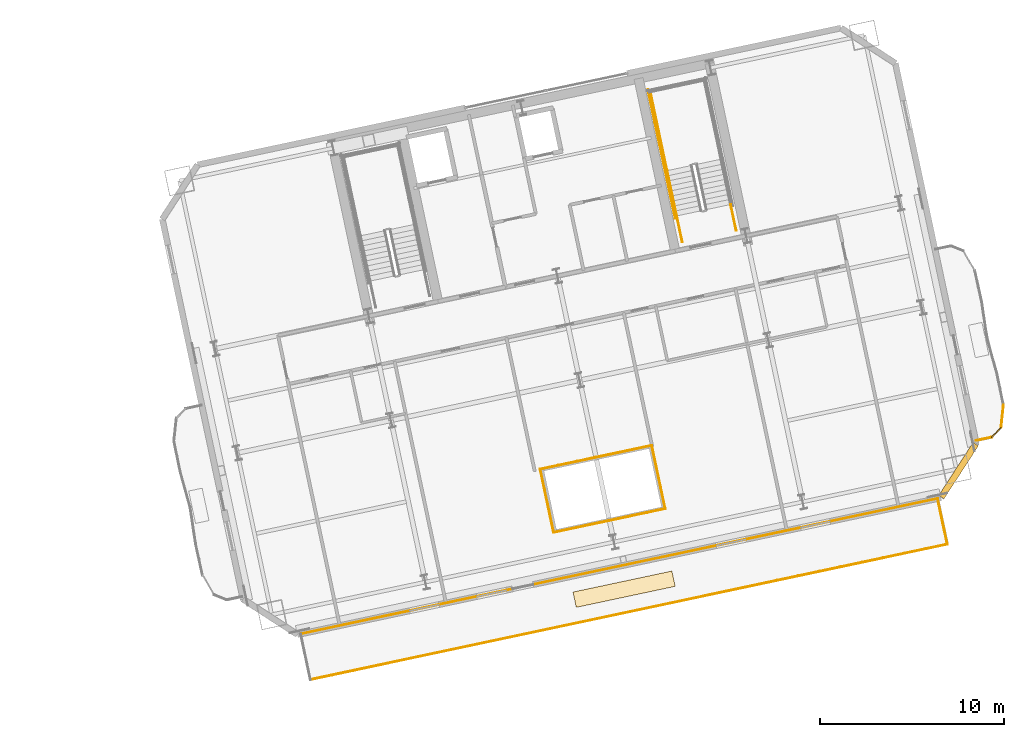
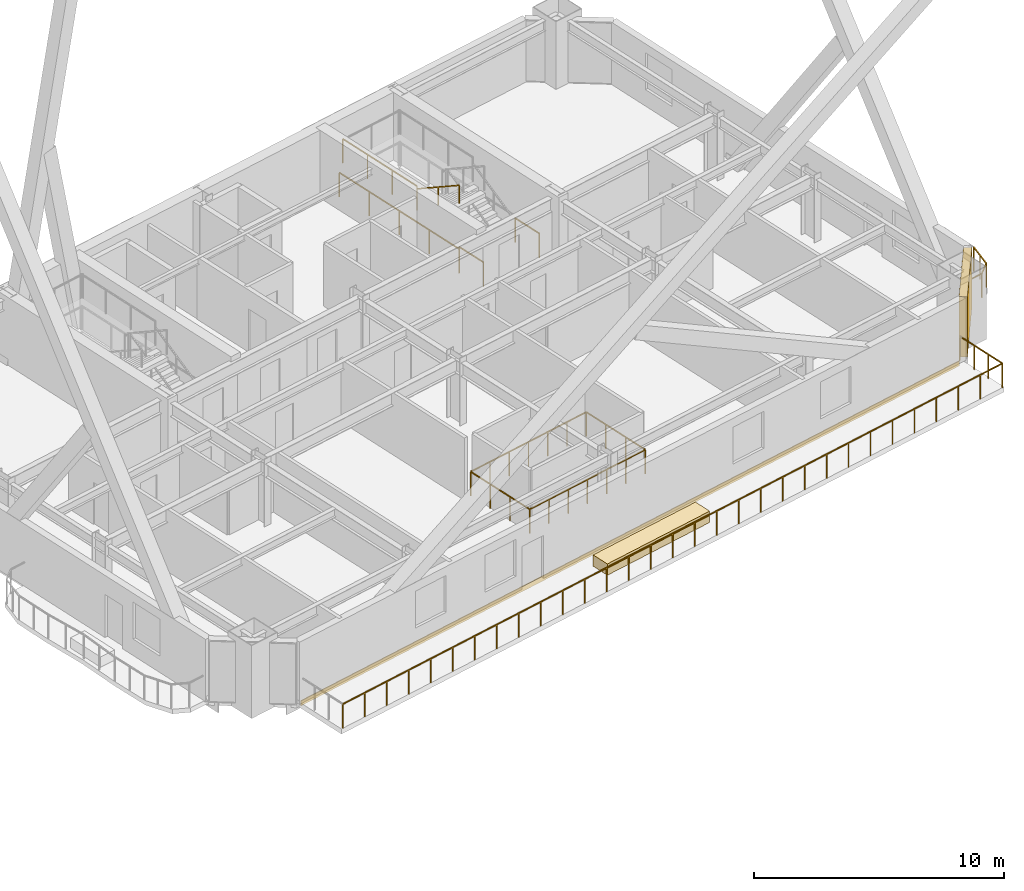
# One storey, part 21 of 22: 14 railings, 2 coverings, 1 shading device.
"""IFC4 building model written with IfcOpenShell, lengths in metres."""

from ifc_helpers import new_model, si_unit, direction, frame, origin, origin_2d, place, context, subcontext, project, spatial, rectangle, extrude, material, layer, layer_set, type_object, element, save


model = new_model("IFC4")

# Units and contexts
model_context = context("Model", 3, precision=1e-05, world=origin(), true_north=direction((0.0, 1.0)))
body_context = subcontext(model_context, "Body", "Model", "MODEL_VIEW")
ifc_project = project(units=[si_unit("LENGTHUNIT", "METRE"), si_unit("AREAUNIT", "SQUARE_METRE"), si_unit("VOLUMEUNIT", "CUBIC_METRE"), si_unit("PLANEANGLEUNIT", "RADIAN"), si_unit("MASSUNIT", "GRAM", prefix="KILO")], contexts=[model_context])

# Site, building, storey
site_placement = place(None, origin())
site = spatial("IfcSite", under=ifc_project, at=site_placement, CompositionType="ELEMENT")
building_placement = place(site_placement, origin())
building = spatial("IfcBuilding", under=site, at=building_placement, Name="Haevon Station Towers", CompositionType="ELEMENT")
storey_placement = place(building_placement, frame((0.0, 0.0, 93.300048828125)))
storey = spatial("IfcBuildingStorey", under=building, at=storey_placement, Name="L24", CompositionType="ELEMENT", Elevation=93.300048828125)

# Railings
ifc_material_1 = material(Name="Steel S355", Category="steel")
railing_type_1 = type_object("IfcRailingType", Name="BAL-ATR1200", PredefinedType="BALUSTRADE", material=ifc_material_1)
railing_1_placement = place(storey_placement, frame((108.81591796875, 25.668212890625, 0.0)))
element("IfcRailing", 1, at=railing_1_placement, inside=storey, type_object=railing_type_1, Name="L24 Atrium Void Balustrade 1", PredefinedType="BALUSTRADE", context=body_context, shape_type="SweptSolid", body=[
    extrude(rectangle(XDim=0.048095703125, YDim=0.048095703125, at=origin_2d()), frame((0.0, 0.0, 1.17578125), z_axis=(0.97814235822, 0.207936353378, 0.0), x_axis=(-0.207936353378, 0.97814235822, 0.0)), (0.0, 0.0, 1.0), 6.208740234375),
    extrude(rectangle(XDim=0.0419921875, YDim=0.0419921875, at=origin_2d()), origin(), (0.0, 0.0, 1.0), 1.15185546875),
    extrude(rectangle(XDim=0.0419921875, YDim=0.0419921875, at=origin_2d()), frame((1.01220703125, 0.215087890625, 0.0)), (0.0, 0.0, 1.0), 1.15185546875),
    extrude(rectangle(XDim=0.0419921875, YDim=0.0419921875, at=origin_2d()), frame((2.0244140625, 0.430419921875, 0.0)), (0.0, 0.0, 1.0), 1.15185546875),
    extrude(rectangle(XDim=0.0419921875, YDim=0.0419921875, at=origin_2d()), frame((3.03662109375, 0.6455078125, 0.0)), (0.0, 0.0, 1.0), 1.15185546875),
    extrude(rectangle(XDim=0.0419921875, YDim=0.0419921875, at=origin_2d()), frame((4.048583984375, 0.860595703125, 0.0)), (0.0, 0.0, 1.0), 1.15185546875),
    extrude(rectangle(XDim=0.0419921875, YDim=0.0419921875, at=origin_2d()), frame((5.060791015625, 1.075927734375, 0.0)), (0.0, 0.0, 1.0), 1.15185546875),
    extrude(rectangle(XDim=0.0419921875, YDim=0.0419921875, at=origin_2d()), frame((6.072998046875, 1.291015625, 0.0)), (0.0, 0.0, 1.0), 1.15185546875),
])
railing_2_placement = place(storey_placement, frame((114.888916015625, 26.959228515625, 0.0)))
element("IfcRailing", 2, at=railing_2_placement, inside=storey, type_object=railing_type_1, Name="L24 Atrium Void Balustrade 2", PredefinedType="BALUSTRADE", context=body_context, shape_type="SweptSolid", body=[
    extrude(rectangle(XDim=0.048095703125, YDim=0.048095703125, at=origin_2d()), frame((0.0, 0.0, 1.17578125), z_axis=(-0.207898592019, 0.978150384878, 0.0), x_axis=(-0.978150384878, -0.207898592019, 0.0)), (0.0, 0.0, 1.0), 3.518310546875),
    extrude(rectangle(XDim=0.0419921875, YDim=0.0419921875, at=origin_2d()), origin(), (0.0, 0.0, 1.0), 1.15185546875),
    extrude(rectangle(XDim=0.0419921875, YDim=0.0419921875, at=origin_2d()), frame((-0.243896484375, 1.147216796875, 0.0)), (0.0, 0.0, 1.0), 1.15185546875),
    extrude(rectangle(XDim=0.0419921875, YDim=0.0419921875, at=origin_2d()), frame((-0.487548828125, 2.294189453125, 0.0)), (0.0, 0.0, 1.0), 1.15185546875),
    extrude(rectangle(XDim=0.0419921875, YDim=0.0419921875, at=origin_2d()), frame((-0.7314453125, 3.44140625, 0.0)), (0.0, 0.0, 1.0), 1.15185546875),
])
railing_3_placement = place(storey_placement, frame((114.157470703125, 30.400634765625, 0.0)))
element("IfcRailing", 3, at=railing_3_placement, inside=storey, type_object=railing_type_1, Name="L24 Atrium Void Balustrade 3", PredefinedType="BALUSTRADE", context=body_context, shape_type="SweptSolid", body=[
    extrude(rectangle(XDim=0.048095703125, YDim=0.048095703125, at=origin_2d()), frame((0.0, 0.0, 1.17578125), z_axis=(-0.978144058321, -0.207928355861, 0.0), x_axis=(0.207928355861, -0.978144058321, 0.0)), (0.0, 0.0, 1.0), 6.208984375),
    extrude(rectangle(XDim=0.0419921875, YDim=0.0419921875, at=origin_2d()), origin(), (0.0, 0.0, 1.0), 1.15185546875),
    extrude(rectangle(XDim=0.0419921875, YDim=0.0419921875, at=origin_2d()), frame((-1.01220703125, -0.215087890625, 0.0)), (0.0, 0.0, 1.0), 1.15185546875),
    extrude(rectangle(XDim=0.0419921875, YDim=0.0419921875, at=origin_2d()), frame((-2.0244140625, -0.430419921875, 0.0)), (0.0, 0.0, 1.0), 1.15185546875),
    extrude(rectangle(XDim=0.0419921875, YDim=0.0419921875, at=origin_2d()), frame((-3.03662109375, -0.6455078125, 0.0)), (0.0, 0.0, 1.0), 1.15185546875),
    extrude(rectangle(XDim=0.0419921875, YDim=0.0419921875, at=origin_2d()), frame((-4.048828125, -0.860595703125, 0.0)), (0.0, 0.0, 1.0), 1.15185546875),
    extrude(rectangle(XDim=0.0419921875, YDim=0.0419921875, at=origin_2d()), frame((-5.06103515625, -1.075927734375, 0.0)), (0.0, 0.0, 1.0), 1.15185546875),
    extrude(rectangle(XDim=0.0419921875, YDim=0.0419921875, at=origin_2d()), frame((-6.0732421875, -1.291015625, 0.0)), (0.0, 0.0, 1.0), 1.15185546875),
])
railing_4_placement = place(storey_placement, frame((108.084228515625, 29.109619140625, 0.0)))
element("IfcRailing", 4, at=railing_4_placement, inside=storey, type_object=railing_type_1, Name="L24 Atrium Void Balustrade 4", PredefinedType="BALUSTRADE", context=body_context, shape_type="SweptSolid", body=[
    extrude(rectangle(XDim=0.048095703125, YDim=0.048095703125, at=origin_2d()), frame((0.0, 0.0, 1.17578125), z_axis=(0.207964983384, -0.978136271532, 0.0), x_axis=(0.978136271532, 0.207964983384, 0.0)), (0.0, 0.0, 1.0), 3.518310546875),
    extrude(rectangle(XDim=0.0419921875, YDim=0.0419921875, at=origin_2d()), origin(), (0.0, 0.0, 1.0), 1.15185546875),
    extrude(rectangle(XDim=0.0419921875, YDim=0.0419921875, at=origin_2d()), frame((0.243896484375, -1.147216796875, 0.0)), (0.0, 0.0, 1.0), 1.15185546875),
    extrude(rectangle(XDim=0.0419921875, YDim=0.0419921875, at=origin_2d()), frame((0.48779296875, -2.294189453125, 0.0)), (0.0, 0.0, 1.0), 1.15185546875),
    extrude(rectangle(XDim=0.0419921875, YDim=0.0419921875, at=origin_2d()), frame((0.731689453125, -3.44140625, 0.0)), (0.0, 0.0, 1.0), 1.15185546875),
])

# Covering
ifc_material_2 = material(Name="Anodised aluminium 6063-T6", Category="aluminium")
ifc_layer_1 = layer(ifc_material_2, 0.0400390625)
ifc_layer_set_1 = layer_set([ifc_layer_1], Name="Anodised aluminium 6063-T6")
covering_type_1 = type_object("IfcCoveringType", Name="COV-CLAD40", PredefinedType="CLADDING", material=ifc_layer_set_1)
covering_1_placement = place(storey_placement, frame((112.380615234375, 23.828369140625, -0.240234375), z_axis=(0.0, 0.0, 1.0), x_axis=(0.978147600734, 0.207911690818, 0.0)))
element("IfcCovering", 5, at=covering_1_placement, inside=storey, type_object=covering_type_1, Name="Tower 2 L24 Spandrel Fascia Cladding", PredefinedType="CLADDING", context=body_context, shape_type="SweptSolid", body=[
    extrude(rectangle(XDim=35.39990234375, YDim=0.0400390625, at=origin_2d()), origin(), (0.0, 0.0, 1.0), 0.239990234375),
])

# Railings
railing_type_2 = type_object("IfcRailingType", Name="GRD-EXT1200", PredefinedType="GUARDRAIL", material=ifc_material_1)
railing_5_placement = place(storey_placement, frame((95.57666015625, 17.655517578125, 0.0)))
element("IfcRailing", 6, at=railing_5_placement, inside=storey, type_object=railing_type_2, Name="L24 Perimeter Guardrail 1", PredefinedType="GUARDRAIL", context=body_context, shape_type="SweptSolid", body=[
    extrude(rectangle(XDim=0.048095703125, YDim=0.048095703125, at=origin_2d()), frame((0.0, 0.0, 1.17578125), z_axis=(0.978148064874, 0.207909507197, 0.0), x_axis=(-0.207909507197, 0.978148064874, 0.0)), (0.0, 0.0, 1.0), 35.4404296875),
    extrude(rectangle(XDim=0.0419921875, YDim=0.0419921875, at=origin_2d()), origin(), (0.0, 0.0, 1.0), 1.15185546875),
    extrude(rectangle(XDim=0.0419921875, YDim=0.0419921875, at=origin_2d()), frame((1.155517578125, 0.24560546875, 0.0)), (0.0, 0.0, 1.0), 1.15185546875),
    extrude(rectangle(XDim=0.0419921875, YDim=0.0419921875, at=origin_2d()), frame((2.31103515625, 0.4912109375, 0.0)), (0.0, 0.0, 1.0), 1.15185546875),
    extrude(rectangle(XDim=0.0419921875, YDim=0.0419921875, at=origin_2d()), frame((3.466552734375, 0.73681640625, 0.0)), (0.0, 0.0, 1.0), 1.15185546875),
    extrude(rectangle(XDim=0.0419921875, YDim=0.0419921875, at=origin_2d()), frame((4.6220703125, 0.982421875, 0.0)), (0.0, 0.0, 1.0), 1.15185546875),
    extrude(rectangle(XDim=0.0419921875, YDim=0.0419921875, at=origin_2d()), frame((5.777587890625, 1.22802734375, 0.0)), (0.0, 0.0, 1.0), 1.15185546875),
    extrude(rectangle(XDim=0.0419921875, YDim=0.0419921875, at=origin_2d()), frame((6.93310546875, 1.4736328125, 0.0)), (0.0, 0.0, 1.0), 1.15185546875),
    extrude(rectangle(XDim=0.0419921875, YDim=0.0419921875, at=origin_2d()), frame((8.088623046875, 1.71923828125, 0.0)), (0.0, 0.0, 1.0), 1.15185546875),
    extrude(rectangle(XDim=0.0419921875, YDim=0.0419921875, at=origin_2d()), frame((9.244384765625, 1.96484375, 0.0)), (0.0, 0.0, 1.0), 1.15185546875),
    extrude(rectangle(XDim=0.0419921875, YDim=0.0419921875, at=origin_2d()), frame((10.39990234375, 2.21044921875, 0.0)), (0.0, 0.0, 1.0), 1.15185546875),
    extrude(rectangle(XDim=0.0419921875, YDim=0.0419921875, at=origin_2d()), frame((11.555419921875, 2.4560546875, 0.0)), (0.0, 0.0, 1.0), 1.15185546875),
    extrude(rectangle(XDim=0.0419921875, YDim=0.0419921875, at=origin_2d()), frame((12.7109375, 2.70166015625, 0.0)), (0.0, 0.0, 1.0), 1.15185546875),
    extrude(rectangle(XDim=0.0419921875, YDim=0.0419921875, at=origin_2d()), frame((13.866455078125, 2.947265625, 0.0)), (0.0, 0.0, 1.0), 1.15185546875),
    extrude(rectangle(XDim=0.0419921875, YDim=0.0419921875, at=origin_2d()), frame((15.02197265625, 3.19287109375, 0.0)), (0.0, 0.0, 1.0), 1.15185546875),
    extrude(rectangle(XDim=0.0419921875, YDim=0.0419921875, at=origin_2d()), frame((16.177490234375, 3.4384765625, 0.0)), (0.0, 0.0, 1.0), 1.15185546875),
    extrude(rectangle(XDim=0.0419921875, YDim=0.0419921875, at=origin_2d()), frame((17.3330078125, 3.68408203125, 0.0)), (0.0, 0.0, 1.0), 1.15185546875),
    extrude(rectangle(XDim=0.0419921875, YDim=0.0419921875, at=origin_2d()), frame((18.488525390625, 3.929931640625, 0.0)), (0.0, 0.0, 1.0), 1.15185546875),
    extrude(rectangle(XDim=0.0419921875, YDim=0.0419921875, at=origin_2d()), frame((19.64404296875, 4.175537109375, 0.0)), (0.0, 0.0, 1.0), 1.15185546875),
    extrude(rectangle(XDim=0.0419921875, YDim=0.0419921875, at=origin_2d()), frame((20.799560546875, 4.421142578125, 0.0)), (0.0, 0.0, 1.0), 1.15185546875),
    extrude(rectangle(XDim=0.0419921875, YDim=0.0419921875, at=origin_2d()), frame((21.955078125, 4.666748046875, 0.0)), (0.0, 0.0, 1.0), 1.15185546875),
    extrude(rectangle(XDim=0.0419921875, YDim=0.0419921875, at=origin_2d()), frame((23.110595703125, 4.912353515625, 0.0)), (0.0, 0.0, 1.0), 1.15185546875),
    extrude(rectangle(XDim=0.0419921875, YDim=0.0419921875, at=origin_2d()), frame((24.26611328125, 5.157958984375, 0.0)), (0.0, 0.0, 1.0), 1.15185546875),
    extrude(rectangle(XDim=0.0419921875, YDim=0.0419921875, at=origin_2d()), frame((25.421630859375, 5.403564453125, 0.0)), (0.0, 0.0, 1.0), 1.15185546875),
    extrude(rectangle(XDim=0.0419921875, YDim=0.0419921875, at=origin_2d()), frame((26.577392578125, 5.649169921875, 0.0)), (0.0, 0.0, 1.0), 1.15185546875),
    extrude(rectangle(XDim=0.0419921875, YDim=0.0419921875, at=origin_2d()), frame((27.73291015625, 5.894775390625, 0.0)), (0.0, 0.0, 1.0), 1.15185546875),
    extrude(rectangle(XDim=0.0419921875, YDim=0.0419921875, at=origin_2d()), frame((28.888427734375, 6.140380859375, 0.0)), (0.0, 0.0, 1.0), 1.15185546875),
    extrude(rectangle(XDim=0.0419921875, YDim=0.0419921875, at=origin_2d()), frame((30.0439453125, 6.385986328125, 0.0)), (0.0, 0.0, 1.0), 1.15185546875),
    extrude(rectangle(XDim=0.0419921875, YDim=0.0419921875, at=origin_2d()), frame((31.199462890625, 6.631591796875, 0.0)), (0.0, 0.0, 1.0), 1.15185546875),
    extrude(rectangle(XDim=0.0419921875, YDim=0.0419921875, at=origin_2d()), frame((32.35498046875, 6.877197265625, 0.0)), (0.0, 0.0, 1.0), 1.15185546875),
    extrude(rectangle(XDim=0.0419921875, YDim=0.0419921875, at=origin_2d()), frame((33.510498046875, 7.122802734375, 0.0)), (0.0, 0.0, 1.0), 1.15185546875),
    extrude(rectangle(XDim=0.0419921875, YDim=0.0419921875, at=origin_2d()), frame((34.666015625, 7.368408203125, 0.0)), (0.0, 0.0, 1.0), 1.15185546875),
])
railing_6_placement = place(storey_placement, frame((130.24267578125, 25.02392578125, 0.0)))
element("IfcRailing", 7, at=railing_6_placement, inside=storey, type_object=railing_type_2, Name="L24 Perimeter Guardrail 2", PredefinedType="GUARDRAIL", context=body_context, shape_type="SweptSolid", body=[
    extrude(rectangle(XDim=0.048095703125, YDim=0.048095703125, at=origin_2d()), frame((0.0, 0.0, 1.17578125), z_axis=(-0.20794288377, 0.978140969947, 0.0), x_axis=(-0.978140969947, -0.20794288377, 0.0)), (0.0, 0.0, 1.0), 2.53369140625),
    extrude(rectangle(XDim=0.0419921875, YDim=0.0419921875, at=origin_2d()), origin(), (0.0, 0.0, 1.0), 1.15185546875),
    extrude(rectangle(XDim=0.0419921875, YDim=0.0419921875, at=origin_2d()), frame((-0.175537109375, 0.826171875, 0.0)), (0.0, 0.0, 1.0), 1.15185546875),
    extrude(rectangle(XDim=0.0419921875, YDim=0.0419921875, at=origin_2d()), frame((-0.351318359375, 1.652099609375, 0.0)), (0.0, 0.0, 1.0), 1.15185546875),
    extrude(rectangle(XDim=0.0419921875, YDim=0.0419921875, at=origin_2d()), frame((-0.52685546875, 2.478271484375, 0.0)), (0.0, 0.0, 1.0), 1.15185546875),
])
railing_7_placement = place(storey_placement, frame((131.806396484375, 30.66943359375, 0.0)))
element("IfcRailing", 8, at=railing_7_placement, inside=storey, type_object=railing_type_2, Name="L24 Perimeter Guardrail 1", PredefinedType="GUARDRAIL", context=body_context, shape_type="SweptSolid", body=[
    extrude(rectangle(XDim=0.048095703125, YDim=0.048095703125, at=origin_2d()), frame((0.0, 0.0, 1.17578125), z_axis=(0.977637760669, 0.210296003085, 0.0), x_axis=(-0.210296003085, 0.977637760669, 0.0)), (0.0, 0.0, 1.0), 0.86962890625),
    extrude(rectangle(XDim=0.0419921875, YDim=0.0419921875, at=origin_2d()), origin(), (0.0, 0.0, 1.0), 1.15185546875),
    extrude(rectangle(XDim=0.0419921875, YDim=0.0419921875, at=origin_2d()), frame((0.85009765625, 0.182861328125, 0.0)), (0.0, 0.0, 1.0), 1.15185546875),
])
railing_8_placement = place(storey_placement, frame((132.656494140625, 30.852294921875, 0.0)))
element("IfcRailing", 9, at=railing_8_placement, inside=storey, type_object=railing_type_2, Name="L24 Perimeter Guardrail 2", PredefinedType="GUARDRAIL", context=body_context, shape_type="SweptSolid", body=[
    extrude(rectangle(XDim=0.048095703125, YDim=0.048095703125, at=origin_2d()), frame((0.0, 0.0, 1.17578125), z_axis=(0.693494519619, 0.720461901323, 0.0), x_axis=(-0.720461901323, 0.693494519619, 0.0)), (0.0, 0.0, 1.0), 0.7333984375),
    extrude(rectangle(XDim=0.0419921875, YDim=0.0419921875, at=origin_2d()), origin(), (0.0, 0.0, 1.0), 1.15185546875),
    extrude(rectangle(XDim=0.0419921875, YDim=0.0419921875, at=origin_2d()), frame((0.508544921875, 0.5283203125, 0.0)), (0.0, 0.0, 1.0), 1.15185546875),
])
railing_9_placement = place(storey_placement, frame((133.1650390625, 31.380615234375, 0.0)))
element("IfcRailing", 10, at=railing_9_placement, inside=storey, type_object=railing_type_2, Name="L24 Perimeter Guardrail 3", PredefinedType="GUARDRAIL", context=body_context, shape_type="SweptSolid", body=[
    extrude(rectangle(XDim=0.048095703125, YDim=0.048095703125, at=origin_2d()), frame((0.0, 0.0, 1.17578125), z_axis=(0.107863215948, 0.994165744051, 0.0), x_axis=(-0.994165744051, 0.107863215948, 0.0)), (0.0, 0.0, 1.0), 1.231201171875),
    extrude(rectangle(XDim=0.0419921875, YDim=0.0419921875, at=origin_2d()), origin(), (0.0, 0.0, 1.0), 1.15185546875),
    extrude(rectangle(XDim=0.0419921875, YDim=0.0419921875, at=origin_2d()), frame((0.06640625, 0.612060546875, 0.0)), (0.0, 0.0, 1.0), 1.15185546875),
    extrude(rectangle(XDim=0.0419921875, YDim=0.0419921875, at=origin_2d()), frame((0.1328125, 1.22412109375, 0.0)), (0.0, 0.0, 1.0), 1.15185546875),
])
railing_type_3 = type_object("IfcRailingType", Name="GRD-STR1200", PredefinedType="GUARDRAIL", material=ifc_material_1)
railing_10_placement = place(storey_placement, frame((114.99072265625, 45.361572265625, 1.64990234375)))
element("IfcRailing", 11, at=railing_10_placement, inside=storey, type_object=railing_type_3, Name="L24 ST4 Stair Guard 4", PredefinedType="GUARDRAIL", context=body_context, shape_type="SweptSolid", body=[
    extrude(rectangle(XDim=0.048095703125, YDim=0.048095703125, at=origin_2d()), frame((0.0, 0.0, 1.17578125), z_axis=(-0.207929280007, 0.978143861871, 0.0), x_axis=(-0.978143861871, -0.207929280007, 0.0)), (0.0, 0.0, 1.0), 4.43017578125),
    extrude(rectangle(XDim=0.0419921875, YDim=0.0419921875, at=origin_2d()), origin(), (0.0, 0.0, 1.0), 1.15185546875),
    extrude(rectangle(XDim=0.0419921875, YDim=0.0419921875, at=origin_2d()), frame((-0.30712890625, 1.4443359375, 0.0)), (0.0, 0.0, 1.0), 1.15185546875),
    extrude(rectangle(XDim=0.0419921875, YDim=0.0419921875, at=origin_2d()), frame((-0.614013671875, 2.888916015625, 0.0)), (0.0, 0.0, 1.0), 1.15185546875),
    extrude(rectangle(XDim=0.0419921875, YDim=0.0419921875, at=origin_2d()), frame((-0.921142578125, 4.333251953125, 0.0)), (0.0, 0.0, 1.0), 1.15185546875),
])
for number, where, name in (
    (12, (118.75048828125, 42.10205078125, 0.0), "L24 ST4 Stair Guard 8"),
    (13, (115.816162109375, 41.478271484375, 0.0), "L24 ST4 Stair Guard 9"),
):
    element("IfcRailing", number, at=place(storey_placement, frame(where)), inside=storey, type_object=railing_type_3, Name=name, PredefinedType="GUARDRAIL", context=body_context, shape_type="SweptSolid", body=[
        extrude(rectangle(XDim=0.048095703125, YDim=0.048095703125, at=origin_2d()), frame((0.0, 0.0, 1.17578125), z_axis=(-0.207919161079, 0.978146012851, 0.0), x_axis=(-0.978146012851, -0.207919161079, 0.0)), (0.0, 0.0, 1.0), 1.4501953125),
        extrude(rectangle(XDim=0.0419921875, YDim=0.0419921875, at=origin_2d()), origin(), (0.0, 0.0, 1.0), 1.15185546875),
        extrude(rectangle(XDim=0.0419921875, YDim=0.0419921875, at=origin_2d()), frame((-0.301513671875, 1.41845703125, 0.0)), (0.0, 0.0, 1.0), 1.15185546875),
    ])
railing_11_placement = place(storey_placement, frame((115.4375, 42.778076171875, 0.0)))
element("IfcRailing", 14, at=railing_11_placement, inside=storey, type_object=railing_type_3, Name="L24 ST4 Stair Guard 11", PredefinedType="GUARDRAIL", context=body_context, shape_type="SweptSolid", body=[
    extrude(rectangle(XDim=0.048095703125, YDim=0.048095703125, at=origin_2d()), frame((0.0, 0.0, 1.17578125), z_axis=(-0.207882442208, 0.978153817261, 0.0), x_axis=(-0.978153817261, -0.207882442208, 0.0)), (0.0, 0.0, 1.0), 7.14990234375),
    extrude(rectangle(XDim=0.0419921875, YDim=0.0419921875, at=origin_2d()), origin(), (0.0, 0.0, 1.0), 1.15185546875),
    extrude(rectangle(XDim=0.0419921875, YDim=0.0419921875, at=origin_2d()), frame((-0.37158203125, 1.74853515625, 0.0)), (0.0, 0.0, 1.0), 1.15185546875),
    extrude(rectangle(XDim=0.0419921875, YDim=0.0419921875, at=origin_2d()), frame((-0.7431640625, 3.496826171875, 0.0)), (0.0, 0.0, 1.0), 1.15185546875),
    extrude(rectangle(XDim=0.0419921875, YDim=0.0419921875, at=origin_2d()), frame((-1.11474609375, 5.2451171875, 0.0)), (0.0, 0.0, 1.0), 1.15185546875),
    extrude(rectangle(XDim=0.0419921875, YDim=0.0419921875, at=origin_2d()), frame((-1.486328125, 6.99365234375, 0.0)), (0.0, 0.0, 1.0), 1.15185546875),
])
railing_type_4 = type_object("IfcRailingType", Name="HND-STR900", PredefinedType="HANDRAIL", material=ifc_material_1)
railing_12_placement = place(storey_placement, frame((114.99072265625, 45.361572265625, 1.81494140625)))
element("IfcRailing", 15, at=railing_12_placement, inside=storey, type_object=railing_type_4, Name="L24 ST4 Stair Handrail 2", PredefinedType="HANDRAIL", context=body_context, shape_type="SweptSolid", body=[
    extrude(rectangle(XDim=0.048095703125, YDim=0.048095703125, at=origin_2d()), frame((0.0, 0.0, 0.8759765625), z_axis=(0.179121265225, -0.842687928106, 0.507732831485), x_axis=(0.978147030254, 0.207914374695, 0.0)), (0.0, 0.0, 1.0), 2.925048828125),
    extrude(rectangle(XDim=0.0419921875, YDim=0.0419921875, at=origin_2d()), origin(), (0.0, 0.0, 1.0), 0.851806640625),
    extrude(rectangle(XDim=0.0419921875, YDim=0.0419921875, at=origin_2d()), frame((0.261962890625, -1.232421875, 0.74267578125)), (0.0, 0.0, 1.0), 0.851806640625),
    extrude(rectangle(XDim=0.0419921875, YDim=0.0419921875, at=origin_2d()), frame((0.52392578125, -2.46484375, 1.485107421875)), (0.0, 0.0, 1.0), 0.851806640625),
])

# Covering
ifc_material_3 = material(Name="Architectural planter GRC", Category="concrete")
ifc_layer_2 = layer(ifc_material_3, 0.550048828125)
ifc_layer_set_2 = layer_set([ifc_layer_2], Name="Architectural planter GRC")
covering_type_2 = type_object("IfcCoveringType", Name="PLN-GRC550", PredefinedType="MOLDING", material=ifc_layer_set_2)
covering_2_placement = place(storey_placement, frame((112.646240234375, 22.578857421875, 0.0), z_axis=(0.0, 0.0, 1.0), x_axis=(0.978147600734, 0.207911690818, 0.0)))
element("IfcCovering", 16, at=covering_2_placement, inside=storey, type_object=covering_type_2, Name="Tower 2 L24 Sky-Garden GRC PLANTER", PredefinedType="MOLDING", context=body_context, shape_type="SweptSolid", body=[
    extrude(rectangle(XDim=5.5, YDim=0.85009765625, at=origin_2d()), origin(), (0.0, 0.0, 1.0), 0.550048828125),
])

# Shading device
ifc_layer_3 = layer(ifc_material_2, 0.139892578125)
ifc_layer_set_3 = layer_set([ifc_layer_3], Name="Anodised aluminium 6063-T6")
shading_device_type = type_object("IfcShadingDeviceType", Name="SHD-WIND-BAFFLE", PredefinedType="SHUTTER", material=ifc_layer_set_3)
shading_device_placement = place(storey_placement, frame((130.852294921875, 29.03271484375, 0.0498046875), z_axis=(0.0, 0.0, 1.0), x_axis=(-0.544638910449, -0.838670648839, 0.0)))
element("IfcShadingDevice", 17, at=shading_device_placement, inside=storey, type_object=shading_device_type, Name="Tower 2 L24 Wind-Corner Aerofoil Baffle SEC", PredefinedType="SHUTTER", context=body_context, shape_type="SweptSolid", body=[
    extrude(rectangle(XDim=3.435546875, YDim=0.340087890625, at=origin_2d()), origin(), (0.0, 0.0, 1.0), 2.929931640625),
])

save(model, "model.ifc")
